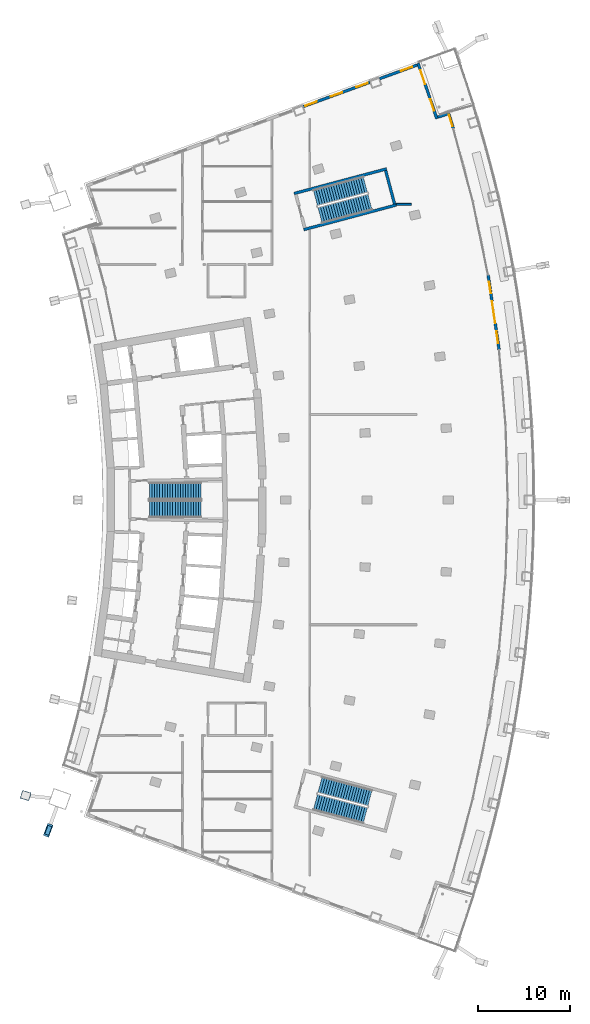
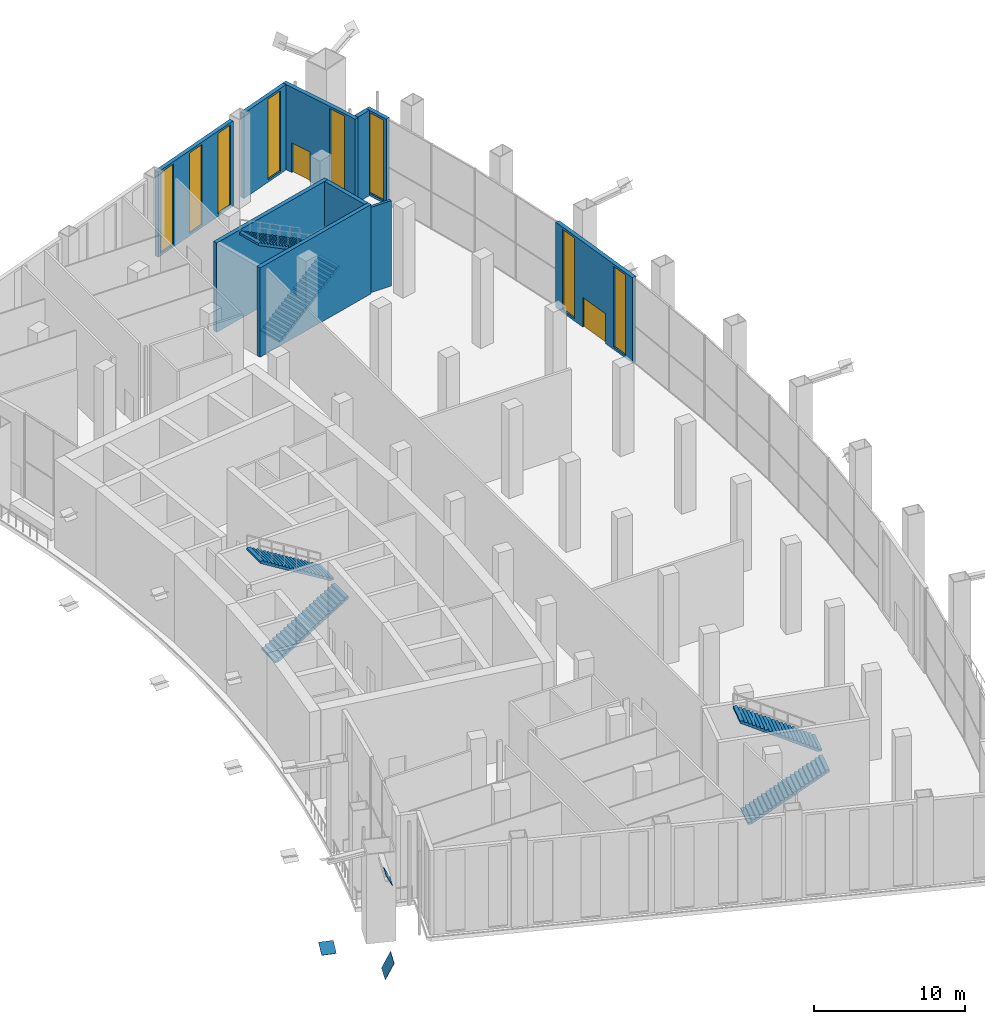
# One storey, part 20 of 27: 10 walls, 8 windows, 6 stair flights, 3 discrete accessories, 2 doors, 10 openings, 3 elements without a shape of their own.
"""IFC4 building model written with IfcOpenShell, lengths in metres."""

from ifc_helpers import new_model, si_unit, direction, frame, frame_2d, origin, origin_2d, place, context, subcontext, project, spatial, polyline, rectangle, outline, extrude, material, layer, layer_set, material_profile, profile_set, type_object, element, fill, aggregate, save


model = new_model("IFC4")

# Units and contexts
model_context = context("Model", 3, precision=1e-05, world=origin(), true_north=direction((0.0, 1.0)))
body_context = subcontext(model_context, "Body", "Model", "MODEL_VIEW")
ifc_project = project(units=[si_unit("LENGTHUNIT", "METRE"), si_unit("AREAUNIT", "SQUARE_METRE"), si_unit("VOLUMEUNIT", "CUBIC_METRE"), si_unit("PLANEANGLEUNIT", "RADIAN"), si_unit("MASSUNIT", "GRAM", prefix="KILO")], contexts=[model_context])

# Site, building, storey
site_placement = place(None, origin())
site = spatial("IfcSite", under=ifc_project, at=site_placement, CompositionType="ELEMENT")
building_placement = place(site_placement, origin())
building = spatial("IfcBuilding", under=site, at=building_placement, Name="Alderwake Tower", CompositionType="ELEMENT")
storey_placement = place(building_placement, frame((0.0, 0.0, 75.199951171875)))
storey = spatial("IfcBuildingStorey", under=building, at=storey_placement, Name="L18", CompositionType="ELEMENT", Elevation=75.199951171875)

# Walls
ifc_material_1 = material(Name="Concrete C70/85", Category="concrete")
ifc_layer_1 = layer(ifc_material_1, 0.300048828125)
ifc_layer_set_1 = layer_set([ifc_layer_1], Name="Core wall stair enclosure 300 C70-85")
wall_type_1 = type_object("IfcWallType", Name="Core wall stair enclosure 300 C70-85", PredefinedType="SHEAR", material=ifc_layer_set_1)
for number, where, z_axis, x_axis, name in (
    (1, (36.71142578125, 94.182373046875, 0.0), (0.0, 0.0, 1.0), (0.966309214305, 0.257383958996, 0.0), "Core wall CW.082"),
    (2, (37.75390625, 90.268798828125, 0.0), (0.0, 0.0, 1.0), (0.966309214305, 0.257383958996, 0.0), "Core wall CW.084"),
):
    element("IfcWall", number, at=place(storey_placement, frame(where, z_axis=z_axis, x_axis=x_axis)), inside=storey, type_object=wall_type_1, Name=name, PredefinedType="SHEAR", context=body_context, shape_type="SweptSolid", body=[
        extrude(rectangle(XDim=10.360107421875, YDim=0.300048828125, at=frame_2d((5.18017578125, 0.0))), origin(), (0.0, 0.0, 1.0), 7.199951171875),
    ])
wall_1_placement = place(storey_placement, frame((47.581298828125, 93.041748046875, 0.0), z_axis=(0.0, 0.0, 1.0), x_axis=(-0.257366821694, 0.966313778796, 0.0)))
element("IfcWall", 3, at=wall_1_placement, inside=storey, type_object=wall_type_1, Name="Core wall CW.081", PredefinedType="SHEAR", context=body_context, shape_type="SweptSolid", body=[
    extrude(rectangle(XDim=3.749755859375, YDim=0.300048828125, at=frame_2d((1.875, 0.0))), origin(), (0.0, 0.0, 1.0), 7.199951171875),
])

# Wall, openings, door, windows
ifc_material_2 = material(Name="Precast concrete C50/60 spandrel panel", Category="concrete")
ifc_layer_2 = layer(ifc_material_2, 0.300048828125)
ifc_layer_set_2 = layer_set([ifc_layer_2], Name="External wall EW1 Precast concrete C50/60 spandrel")
wall_type_2 = type_object("IfcWallType", Name="External wall EW1 Precast concrete C50/60 spandrel", PredefinedType="SOLIDWALL", material=ifc_layer_set_2)
wall_2_placement = place(storey_placement, frame((58.8994140625, 77.27734375, 0.0), z_axis=(0.0, 0.0, 1.0), x_axis=(-0.145324294793, 0.989384075748, 0.0)))
wall_2 = element("IfcWall", 4, at=wall_2_placement, inside=storey, type_object=wall_type_2, Name="External wall 17", PredefinedType="SOLIDWALL", context=body_context, shape_type="SweptSolid", body=[
    extrude(rectangle(XDim=8.15966796875, YDim=0.300048828125, at=frame_2d((4.079833984375, 0.0))), origin(), (0.0, 0.0, 1.0), 6.880126953125),
])
opening_1_placement = place(wall_2_placement, frame((0.7099609375, 0.0, 0.199951171875)))
opening_1 = element("IfcOpeningElement", 5, at=opening_1_placement, cuts=wall_2, Name="Opening W5", PredefinedType="OPENING", context=body_context, shape_type="SweptSolid", body=[
    extrude(rectangle(XDim=1.300048828125, YDim=6.5, at=frame_2d((0.64990234375, 3.25))), frame((0.0, 0.159912109375, 0.0), z_axis=(0.0, -1.0, 0.0), x_axis=(1.0, 0.0, 0.0)), (0.0, 0.0, 1.0), 0.320068359375),
])
opening_2_placement = place(wall_2_placement, frame((2.8798828125, 0.0, 0.0)))
opening_2 = element("IfcOpeningElement", 6, at=opening_2_placement, cuts=wall_2, Name="Opening D05", PredefinedType="OPENING", context=body_context, shape_type="SweptSolid", body=[
    extrude(rectangle(XDim=2.39990234375, YDim=2.39990234375, at=frame_2d((1.199951171875, 1.199951171875))), frame((0.0, 0.159912109375, 0.0), z_axis=(0.0, -1.0, 0.0), x_axis=(1.0, 0.0, 0.0)), (0.0, 0.0, 1.0), 0.320068359375),
])
opening_3_placement = place(wall_2_placement, frame((6.149658203125, 0.0, 0.199951171875)))
opening_3 = element("IfcOpeningElement", 7, at=opening_3_placement, cuts=wall_2, Name="Opening W5", PredefinedType="OPENING", context=body_context, shape_type="SweptSolid", body=[
    extrude(rectangle(XDim=1.300048828125, YDim=6.5, at=frame_2d((0.64990234375, 3.25))), frame((0.0, 0.159912109375, 0.0), z_axis=(0.0, -1.0, 0.0), x_axis=(1.0, 0.0, 0.0)), (0.0, 0.0, 1.0), 0.320068359375),
])
ifc_material_3 = material(Name="Bronze tinted glass in aluminium frame", Category="aluminium")
door_type_1 = type_object("IfcDoorType", Name="Garden door GD sliding", OperationType="DOUBLE_DOOR_SINGLE_SWING", PredefinedType="DOOR", material=ifc_material_3)
door_1_placement = place(opening_2_placement, origin())
door_1 = element("IfcDoor", 8, at=door_1_placement, inside=storey, type_object=door_type_1, Name="Door D05", OperationType="DOUBLE_DOOR_SINGLE_SWING", OverallHeight=2.39990234375, OverallWidth=2.39990234375, PredefinedType="DOOR", context=body_context, shape_type="SweptSolid", body=[
    extrude(rectangle(XDim=2.39990234375, YDim=2.39990234375, at=frame_2d((1.199951171875, 1.199951171875))), frame((0.0, 0.02490234375, 0.0), z_axis=(0.0, -1.0, 0.0), x_axis=(1.0, 0.0, 0.0)), (0.0, 0.0, 1.0), 0.050048828125),
])
fill(opening_2, door_1)
ifc_material_4 = material(Name="Bronze tinted glass in aluminium frame", Category="aluminium")
window_type = type_object("IfcWindowType", Name="Window W5 garden floor tall", PartitioningType="SINGLE_PANEL", PredefinedType="WINDOW", material=ifc_material_4)
window_1_placement = place(opening_1_placement, origin())
window_1 = element("IfcWindow", 9, at=window_1_placement, inside=storey, type_object=window_type, Name="Window W5 garden floor tall", OverallHeight=6.5, OverallWidth=1.300048828125, PartitioningType="SINGLE_PANEL", PredefinedType="WINDOW", context=body_context, shape_type="SweptSolid", body=[
    extrude(rectangle(XDim=1.300048828125, YDim=6.5, at=frame_2d((0.64990234375, 3.25))), frame((0.0, 0.030029296875, 0.0), z_axis=(0.0, -1.0, 0.0), x_axis=(1.0, 0.0, 0.0)), (0.0, 0.0, 1.0), 0.06005859375),
])
fill(opening_1, window_1)
window_2_placement = place(opening_3_placement, origin())
window_2 = element("IfcWindow", 10, at=window_2_placement, inside=storey, type_object=window_type, Name="Window W5 garden floor tall", OverallHeight=6.5, OverallWidth=1.300048828125, PartitioningType="SINGLE_PANEL", PredefinedType="WINDOW", context=body_context, shape_type="SweptSolid", body=[
    extrude(rectangle(XDim=1.300048828125, YDim=6.5, at=frame_2d((0.64990234375, 3.25))), frame((0.0, 0.030029296875, 0.0), z_axis=(0.0, -1.0, 0.0), x_axis=(1.0, 0.0, 0.0)), (0.0, 0.0, 1.0), 0.06005859375),
])
fill(opening_3, window_2)

# Wall, opening, window
wall_3_placement = place(storey_placement, frame((53.943603515625, 101.21337890625, 0.0), z_axis=(0.0, 0.0, 1.0), x_axis=(-0.294449482686, 0.955667045652, 0.0)))
wall_3 = element("IfcWall", 11, at=wall_3_placement, inside=storey, type_object=wall_type_2, Name="External wall 18", PredefinedType="SOLIDWALL", context=body_context, shape_type="SweptSolid", body=[
    extrude(rectangle(XDim=1.83984375, YDim=0.300048828125, at=frame_2d((0.919921875, 0.0))), origin(), (0.0, 0.0, 1.0), 6.880126953125),
])
opening_4_placement = place(wall_3_placement, frame((0.27001953125, 0.0, 0.199951171875)))
opening_4 = element("IfcOpeningElement", 12, at=opening_4_placement, cuts=wall_3, Name="Opening W5", PredefinedType="OPENING", context=body_context, shape_type="SweptSolid", body=[
    extrude(rectangle(XDim=1.300048828125, YDim=6.5, at=frame_2d((0.64990234375, 3.25))), frame((0.0, 0.159912109375, 0.0), z_axis=(0.0, -1.0, 0.0), x_axis=(1.0, 0.0, 0.0)), (0.0, 0.0, 1.0), 0.320068359375),
])
window_3_placement = place(opening_4_placement, origin())
window_3 = element("IfcWindow", 13, at=window_3_placement, inside=storey, type_object=window_type, Name="Window W5 garden floor tall", OverallHeight=6.5, OverallWidth=1.300048828125, PartitioningType="SINGLE_PANEL", PredefinedType="WINDOW", context=body_context, shape_type="SweptSolid", body=[
    extrude(rectangle(XDim=1.300048828125, YDim=6.5, at=frame_2d((0.64990234375, 3.25))), frame((0.0, 0.030029296875, 0.0), z_axis=(0.0, -1.0, 0.0), x_axis=(1.0, 0.0, 0.0)), (0.0, 0.0, 1.0), 0.06005859375),
])
fill(opening_4, window_3)

# Wall
ifc_material_5 = material(Name="Bronze metal cladding on lightweight framing")
ifc_layer_3 = layer(ifc_material_5, 0.300048828125)
ifc_layer_set_3 = layer_set([ifc_layer_3], Name="External wall EW2 bronze metal cladding")
wall_type_3 = type_object("IfcWallType", Name="External wall EW2 bronze metal cladding", PredefinedType="SOLIDWALL", material=ifc_layer_set_3)
wall_4_placement = place(storey_placement, frame((53.302978515625, 102.782958984375, 0.0), z_axis=(0.0, 0.0, 1.0), x_axis=(-0.953498335812, -0.301398280693, 0.0)))
element("IfcWall", 14, at=wall_4_placement, inside=storey, type_object=wall_type_3, Name="External wall 19", PredefinedType="SOLIDWALL", context=body_context, shape_type="SweptSolid", body=[
    extrude(rectangle(XDim=1.09423828125, YDim=0.300048828125, at=frame_2d((0.547119140625, 0.0))), origin(), (0.0, 0.0, 1.0), 6.880126953125),
])

# Wall, openings, door, window
wall_5_placement = place(storey_placement, frame((52.164794921875, 102.265869140625, 0.0), z_axis=(0.0, 0.0, 1.0), x_axis=(-0.320924841055, 0.947104664962, 0.0)))
wall_5 = element("IfcWall", 15, at=wall_5_placement, inside=storey, type_object=wall_type_3, Name="External wall 20", PredefinedType="SOLIDWALL", context=body_context, shape_type="SweptSolid", body=[
    extrude(rectangle(XDim=6.356689453125, YDim=0.300048828125, at=frame_2d((3.17822265625, 0.0))), origin(), (0.0, 0.0, 1.0), 6.880126953125),
])
opening_5_placement = place(wall_5_placement, frame((0.939208984375, 0.0, 0.199951171875)))
opening_5 = element("IfcOpeningElement", 16, at=opening_5_placement, cuts=wall_5, Name="Opening W5", PredefinedType="OPENING", context=body_context, shape_type="SweptSolid", body=[
    extrude(rectangle(XDim=1.300048828125, YDim=6.5, at=frame_2d((0.64990234375, 3.25))), frame((0.0, 0.159912109375, 0.0), z_axis=(0.0, -1.0, 0.0), x_axis=(1.0, 0.0, 0.0)), (0.0, 0.0, 1.0), 0.320068359375),
])
opening_6_placement = place(wall_5_placement, frame((3.967529296875, 0.0, 0.0)))
opening_6 = element("IfcOpeningElement", 17, at=opening_6_placement, cuts=wall_5, Name="Opening D06", PredefinedType="OPENING", context=body_context, shape_type="SweptSolid", body=[
    extrude(rectangle(XDim=1.60009765625, YDim=2.39990234375, at=frame_2d((0.800048828125, 1.199951171875))), frame((0.0, 0.159912109375, 0.0), z_axis=(0.0, -1.0, 0.0), x_axis=(1.0, 0.0, 0.0)), (0.0, 0.0, 1.0), 0.320068359375),
])
ifc_material_6 = material(Name="Bronze tinted glass in aluminium frame", Category="aluminium")
door_type_2 = type_object("IfcDoorType", Name="Terrace door TD sliding", OperationType="SLIDING_TO_LEFT", PredefinedType="DOOR", material=ifc_material_6)
door_2_placement = place(opening_6_placement, origin())
door_2 = element("IfcDoor", 18, at=door_2_placement, inside=storey, type_object=door_type_2, Name="Door D06", OperationType="SLIDING_TO_LEFT", OverallHeight=2.39990234375, OverallWidth=1.60009765625, PredefinedType="DOOR", context=body_context, shape_type="SweptSolid", body=[
    extrude(rectangle(XDim=1.60009765625, YDim=2.39990234375, at=frame_2d((0.800048828125, 1.199951171875))), frame((0.0, 0.02490234375, 0.0), z_axis=(0.0, -1.0, 0.0), x_axis=(1.0, 0.0, 0.0)), (0.0, 0.0, 1.0), 0.050048828125),
])
fill(opening_6, door_2)
window_4_placement = place(opening_5_placement, origin())
window_4 = element("IfcWindow", 19, at=window_4_placement, inside=storey, type_object=window_type, Name="Window W5 garden floor tall", OverallHeight=6.5, OverallWidth=1.300048828125, PartitioningType="SINGLE_PANEL", PredefinedType="WINDOW", context=body_context, shape_type="SweptSolid", body=[
    extrude(rectangle(XDim=1.300048828125, YDim=6.5, at=frame_2d((0.64990234375, 3.25))), frame((0.0, 0.030029296875, 0.0), z_axis=(0.0, -1.0, 0.0), x_axis=(1.0, 0.0, 0.0)), (0.0, 0.0, 1.0), 0.06005859375),
])
fill(opening_5, window_4)

# Wall, opening, window
wall_6_placement = place(storey_placement, frame((50.031982421875, 108.0927734375, 0.0), z_axis=(0.0, 0.0, 1.0), x_axis=(-0.939366224685, -0.342915581333, 0.0)))
wall_6 = element("IfcWall", 20, at=wall_6_placement, inside=storey, type_object=wall_type_3, Name="External wall 21", PredefinedType="SOLIDWALL", context=body_context, shape_type="SweptSolid", body=[
    extrude(rectangle(XDim=4.345703125, YDim=0.300048828125, at=frame_2d((2.1728515625, 0.0))), origin(), (0.0, 0.0, 1.0), 6.880126953125),
])
opening_7_placement = place(wall_6_placement, frame((0.574462890625, 0.0, 0.199951171875)))
opening_7 = element("IfcOpeningElement", 21, at=opening_7_placement, cuts=wall_6, Name="Opening W5", PredefinedType="OPENING", context=body_context, shape_type="SweptSolid", body=[
    extrude(rectangle(XDim=1.300048828125, YDim=6.5, at=frame_2d((0.64990234375, 3.25))), frame((0.0, 0.159912109375, 0.0), z_axis=(0.0, -1.0, 0.0), x_axis=(1.0, 0.0, 0.0)), (0.0, 0.0, 1.0), 0.320068359375),
])
window_5_placement = place(opening_7_placement, origin())
window_5 = element("IfcWindow", 22, at=window_5_placement, inside=storey, type_object=window_type, Name="Window W5 garden floor tall", OverallHeight=6.5, OverallWidth=1.300048828125, PartitioningType="SINGLE_PANEL", PredefinedType="WINDOW", context=body_context, shape_type="SweptSolid", body=[
    extrude(rectangle(XDim=1.300048828125, YDim=6.5, at=frame_2d((0.64990234375, 3.25))), frame((0.0, 0.030029296875, 0.0), z_axis=(0.0, -1.0, 0.0), x_axis=(1.0, 0.0, 0.0)), (0.0, 0.0, 1.0), 0.06005859375),
])
fill(opening_7, window_5)

# Wall, openings, windows
wall_7_placement = place(storey_placement, frame((44.91259765625, 106.22412109375, 0.0), z_axis=(0.0, 0.0, 1.0), x_axis=(-0.939374999544, -0.342891542958, 0.0)))
wall_7 = element("IfcWall", 23, at=wall_7_placement, inside=storey, type_object=wall_type_3, Name="External wall 22", PredefinedType="SOLIDWALL", context=body_context, shape_type="SweptSolid", body=[
    extrude(rectangle(XDim=7.696044921875, YDim=0.300048828125, at=frame_2d((3.84814453125, 0.0))), origin(), (0.0, 0.0, 1.0), 6.880126953125),
])
opening_8_placement = place(wall_7_placement, frame((0.2646484375, 0.0, 0.199951171875)))
opening_8 = element("IfcOpeningElement", 24, at=opening_8_placement, cuts=wall_7, Name="Opening W5", PredefinedType="OPENING", context=body_context, shape_type="SweptSolid", body=[
    extrude(rectangle(XDim=1.300048828125, YDim=6.5, at=frame_2d((0.64990234375, 3.25))), frame((0.0, 0.159912109375, 0.0), z_axis=(0.0, -1.0, 0.0), x_axis=(1.0, 0.0, 0.0)), (0.0, 0.0, 1.0), 0.320068359375),
])
opening_9_placement = place(wall_7_placement, frame((3.197998046875, 0.0, 0.199951171875)))
opening_9 = element("IfcOpeningElement", 25, at=opening_9_placement, cuts=wall_7, Name="Opening W5", PredefinedType="OPENING", context=body_context, shape_type="SweptSolid", body=[
    extrude(rectangle(XDim=1.300048828125, YDim=6.5, at=frame_2d((0.64990234375, 3.25))), frame((0.0, 0.159912109375, 0.0), z_axis=(0.0, -1.0, 0.0), x_axis=(1.0, 0.0, 0.0)), (0.0, 0.0, 1.0), 0.320068359375),
])
opening_10_placement = place(wall_7_placement, frame((6.13134765625, 0.0, 0.199951171875)))
opening_10 = element("IfcOpeningElement", 26, at=opening_10_placement, cuts=wall_7, Name="Opening W5", PredefinedType="OPENING", context=body_context, shape_type="SweptSolid", body=[
    extrude(rectangle(XDim=1.300048828125, YDim=6.5, at=frame_2d((0.64990234375, 3.25))), frame((0.0, 0.159912109375, 0.0), z_axis=(0.0, -1.0, 0.0), x_axis=(1.0, 0.0, 0.0)), (0.0, 0.0, 1.0), 0.320068359375),
])
window_6_placement = place(opening_8_placement, origin())
window_6 = element("IfcWindow", 27, at=window_6_placement, inside=storey, type_object=window_type, Name="Window W5 garden floor tall", OverallHeight=6.5, OverallWidth=1.300048828125, PartitioningType="SINGLE_PANEL", PredefinedType="WINDOW", context=body_context, shape_type="SweptSolid", body=[
    extrude(rectangle(XDim=1.300048828125, YDim=6.5, at=frame_2d((0.64990234375, 3.25))), frame((0.0, 0.030029296875, 0.0), z_axis=(0.0, -1.0, 0.0), x_axis=(1.0, 0.0, 0.0)), (0.0, 0.0, 1.0), 0.06005859375),
])
fill(opening_8, window_6)
window_7_placement = place(opening_9_placement, origin())
window_7 = element("IfcWindow", 28, at=window_7_placement, inside=storey, type_object=window_type, Name="Window W5 garden floor tall", OverallHeight=6.5, OverallWidth=1.300048828125, PartitioningType="SINGLE_PANEL", PredefinedType="WINDOW", context=body_context, shape_type="SweptSolid", body=[
    extrude(rectangle(XDim=1.300048828125, YDim=6.5, at=frame_2d((0.64990234375, 3.25))), frame((0.0, 0.030029296875, 0.0), z_axis=(0.0, -1.0, 0.0), x_axis=(1.0, 0.0, 0.0)), (0.0, 0.0, 1.0), 0.06005859375),
])
fill(opening_9, window_7)
window_8_placement = place(opening_10_placement, origin())
window_8 = element("IfcWindow", 29, at=window_8_placement, inside=storey, type_object=window_type, Name="Window W5 garden floor tall", OverallHeight=6.5, OverallWidth=1.300048828125, PartitioningType="SINGLE_PANEL", PredefinedType="WINDOW", context=body_context, shape_type="SweptSolid", body=[
    extrude(rectangle(XDim=1.300048828125, YDim=6.5, at=frame_2d((0.64990234375, 3.25))), frame((0.0, 0.030029296875, 0.0), z_axis=(0.0, -1.0, 0.0), x_axis=(1.0, 0.0, 0.0)), (0.0, 0.0, 1.0), 0.06005859375),
])
fill(opening_10, window_8)

# Wall
ifc_material_7 = material(Name="Dense block masonry wall", Category="masonry")
ifc_layer_4 = layer(ifc_material_7, 0.199951171875)
ifc_layer_set_4 = layer_set([ifc_layer_4], Name="Party wall 200")
wall_type_4 = type_object("IfcWallType", Name="Party wall 200", PredefinedType="SOLIDWALL", material=ifc_layer_set_4)
wall_8_placement = place(storey_placement, frame((49.40087890625, 93.0, 0.0), z_axis=(0.0, 0.0, 1.0), x_axis=(-1.0, 0.0, 0.0)))
element("IfcWall", 30, at=wall_8_placement, inside=storey, type_object=wall_type_4, Name="WL/L18/W05", PredefinedType="SOLIDWALL", context=body_context, shape_type="SweptSolid", body=[
    extrude(rectangle(XDim=1.6328125, YDim=0.199951171875, at=frame_2d((0.81640625, 0.0))), origin(), (0.0, 0.0, 1.0), 6.880126953125),
])

# Stair, stair flights
ifc_material_8 = material(Name="Concrete C40/50", Category="concrete")
stair_type = type_object("IfcStairType", Name="Core exit stair", PredefinedType="HALF_TURN_STAIR", material=ifc_material_8)
stair_1_placement = place(storey_placement, origin())
stair_1 = element("IfcStair", 31, at=stair_1_placement, inside=storey, type_object=stair_type, Name="L18 Exit Stair B", PredefinedType="HALF_TURN_STAIR")
ifc_material_9 = material(Name="Concrete C40/50", Category="concrete")
ifc_layer_5 = layer(ifc_material_9, 0.14990234375)
ifc_layer_set_5 = layer_set([ifc_layer_5], Name="Core stair flight")
stair_flight_type = type_object("IfcStairFlightType", Name="Core stair flight", PredefinedType="STRAIGHT", material=ifc_layer_set_5)
stair_flight_1_placement = place(storey_placement, frame((21.0400390625, 60.02490234375, 0.0), z_axis=(0.0, 0.0, 1.0), x_axis=(1.0, 0.0, 0.0)))
stair_flight_1 = element("IfcStairFlight", 32, at=stair_flight_1_placement, type_object=stair_flight_type, Name="ST-B flight 1", NumberOfRisers=21, NumberOfTreads=20, PredefinedType="STRAIGHT", RiserHeight=0.171428571, TreadLength=0.28, context=body_context, shape_type="SweptSolid", body=[
    extrude(outline(polyline([(0.0, 0.0), (0.0, 0.17138671875), (0.280029296875, 0.17138671875), (0.280029296875, 0.3427734375), (0.56005859375, 0.3427734375), (0.56005859375, 0.514404296875), (0.840087890625, 0.514404296875), (0.840087890625, 0.685791015625), (1.1201171875, 0.685791015625), (1.1201171875, 0.857177734375), (1.39990234375, 0.857177734375), (1.39990234375, 1.028564453125), (1.679931640625, 1.028564453125), (1.679931640625, 1.199951171875), (1.9599609375, 1.199951171875), (1.9599609375, 1.371337890625), (2.239990234375, 1.371337890625), (2.239990234375, 1.54296875), (2.52001953125, 1.54296875), (2.52001953125, 1.71435546875), (2.800048828125, 1.71435546875), (2.800048828125, 1.8857421875), (3.080078125, 1.8857421875), (3.080078125, 2.05712890625), (3.360107421875, 2.05712890625), (3.360107421875, 2.228515625), (3.639892578125, 2.228515625), (3.639892578125, 2.39990234375), (3.919921875, 2.39990234375), (3.919921875, 2.571533203125), (4.199951171875, 2.571533203125), (4.199951171875, 2.742919921875), (4.47998046875, 2.742919921875), (4.47998046875, 2.914306640625), (4.760009765625, 2.914306640625), (4.760009765625, 3.085693359375), (5.0400390625, 3.085693359375), (5.0400390625, 3.257080078125), (5.320068359375, 3.257080078125), (5.320068359375, 3.428466796875), (5.60009765625, 3.428466796875), (5.60009765625, 3.60009765625), (5.60009765625, 3.252685546875), (0.287109375, 0.0), (0.0, 0.0)])), frame((0.0, 0.89990234375, 0.0), z_axis=(0.0, -1.0, 0.0), x_axis=(1.0, 0.0, 0.0)), (0.0, 0.0, 1.0), 1.800048828125),
])
stair_flight_2_placement = place(storey_placement, frame((26.639892578125, 61.97509765625, 3.60009765625), z_axis=(0.0, 0.0, 1.0), x_axis=(-1.0, 0.0, 0.0)))
stair_flight_2 = element("IfcStairFlight", 33, at=stair_flight_2_placement, type_object=stair_flight_type, Name="ST-B flight 2", NumberOfRisers=21, NumberOfTreads=20, PredefinedType="STRAIGHT", RiserHeight=0.171428571, TreadLength=0.28, context=body_context, shape_type="SweptSolid", body=[
    extrude(outline(polyline([(0.0, 0.0), (0.0, 0.17138671875), (0.280029296875, 0.17138671875), (0.280029296875, 0.3427734375), (0.56005859375, 0.3427734375), (0.56005859375, 0.514404296875), (0.840087890625, 0.514404296875), (0.840087890625, 0.685791015625), (1.1201171875, 0.685791015625), (1.1201171875, 0.857177734375), (1.39990234375, 0.857177734375), (1.39990234375, 1.028564453125), (1.679931640625, 1.028564453125), (1.679931640625, 1.199951171875), (1.9599609375, 1.199951171875), (1.9599609375, 1.371337890625), (2.239990234375, 1.371337890625), (2.239990234375, 1.54296875), (2.52001953125, 1.54296875), (2.52001953125, 1.71435546875), (2.800048828125, 1.71435546875), (2.800048828125, 1.8857421875), (3.080078125, 1.8857421875), (3.080078125, 2.05712890625), (3.360107421875, 2.05712890625), (3.360107421875, 2.228515625), (3.639892578125, 2.228515625), (3.639892578125, 2.39990234375), (3.919921875, 2.39990234375), (3.919921875, 2.571533203125), (4.199951171875, 2.571533203125), (4.199951171875, 2.742919921875), (4.47998046875, 2.742919921875), (4.47998046875, 2.914306640625), (4.760009765625, 2.914306640625), (4.760009765625, 3.085693359375), (5.0400390625, 3.085693359375), (5.0400390625, 3.257080078125), (5.320068359375, 3.257080078125), (5.320068359375, 3.428466796875), (5.60009765625, 3.428466796875), (5.60009765625, 3.60009765625), (5.60009765625, 3.252685546875), (0.287109375, 0.0), (0.0, 0.0)])), frame((0.0, 0.89990234375, 0.0), z_axis=(0.0, -1.0, 0.0), x_axis=(1.0, 0.0, 0.0)), (0.0, 0.0, 1.0), 1.800048828125),
])
aggregate(stair_1, [stair_flight_1, stair_flight_2])

stair_2_placement = place(storey_placement, origin())
stair_2 = element("IfcStair", 34, at=stair_2_placement, inside=storey, type_object=stair_type, Name="L18 Exit Stair A", PredefinedType="HALF_TURN_STAIR")
stair_flight_3_placement = place(storey_placement, frame((39.512939453125, 91.823974609375, 0.0), z_axis=(0.0, 0.0, 1.0), x_axis=(0.966309627437, 0.257382407951, 0.0)))
stair_flight_3 = element("IfcStairFlight", 35, at=stair_flight_3_placement, type_object=stair_flight_type, Name="ST-A flight 1", NumberOfRisers=21, NumberOfTreads=20, PredefinedType="STRAIGHT", RiserHeight=0.171428571, TreadLength=0.28, context=body_context, shape_type="SweptSolid", body=[
    extrude(outline(polyline([(0.0, 0.0), (0.0, 0.17138671875), (0.280029296875, 0.17138671875), (0.280029296875, 0.3427734375), (0.56005859375, 0.3427734375), (0.56005859375, 0.514404296875), (0.840087890625, 0.514404296875), (0.840087890625, 0.685791015625), (1.1201171875, 0.685791015625), (1.1201171875, 0.857177734375), (1.39990234375, 0.857177734375), (1.39990234375, 1.028564453125), (1.679931640625, 1.028564453125), (1.679931640625, 1.199951171875), (1.9599609375, 1.199951171875), (1.9599609375, 1.371337890625), (2.239990234375, 1.371337890625), (2.239990234375, 1.54296875), (2.52001953125, 1.54296875), (2.52001953125, 1.71435546875), (2.800048828125, 1.71435546875), (2.800048828125, 1.8857421875), (3.080078125, 1.8857421875), (3.080078125, 2.05712890625), (3.360107421875, 2.05712890625), (3.360107421875, 2.228515625), (3.639892578125, 2.228515625), (3.639892578125, 2.39990234375), (3.919921875, 2.39990234375), (3.919921875, 2.571533203125), (4.199951171875, 2.571533203125), (4.199951171875, 2.742919921875), (4.47998046875, 2.742919921875), (4.47998046875, 2.914306640625), (4.760009765625, 2.914306640625), (4.760009765625, 3.085693359375), (5.0400390625, 3.085693359375), (5.0400390625, 3.257080078125), (5.320068359375, 3.257080078125), (5.320068359375, 3.428466796875), (5.60009765625, 3.428466796875), (5.60009765625, 3.60009765625), (5.60009765625, 3.252685546875), (0.287109375, 0.0), (0.0, 0.0)])), frame((0.0, 0.89990234375, 0.0), z_axis=(0.0, -1.0, 0.0), x_axis=(1.0, 0.0, 0.0)), (0.0, 0.0, 1.0), 1.800048828125),
])
stair_flight_4_placement = place(storey_placement, frame((44.42236328125, 95.149658203125, 3.60009765625), z_axis=(0.0, 0.0, 1.0), x_axis=(-0.966309627437, -0.257382407951, 0.0)))
stair_flight_4 = element("IfcStairFlight", 36, at=stair_flight_4_placement, type_object=stair_flight_type, Name="ST-A flight 2", NumberOfRisers=21, NumberOfTreads=20, PredefinedType="STRAIGHT", RiserHeight=0.171428571, TreadLength=0.28, context=body_context, shape_type="SweptSolid", body=[
    extrude(outline(polyline([(0.0, 0.0), (0.0, 0.17138671875), (0.280029296875, 0.17138671875), (0.280029296875, 0.3427734375), (0.56005859375, 0.3427734375), (0.56005859375, 0.514404296875), (0.840087890625, 0.514404296875), (0.840087890625, 0.685791015625), (1.1201171875, 0.685791015625), (1.1201171875, 0.857177734375), (1.39990234375, 0.857177734375), (1.39990234375, 1.028564453125), (1.679931640625, 1.028564453125), (1.679931640625, 1.199951171875), (1.9599609375, 1.199951171875), (1.9599609375, 1.371337890625), (2.239990234375, 1.371337890625), (2.239990234375, 1.54296875), (2.52001953125, 1.54296875), (2.52001953125, 1.71435546875), (2.800048828125, 1.71435546875), (2.800048828125, 1.8857421875), (3.080078125, 1.8857421875), (3.080078125, 2.05712890625), (3.360107421875, 2.05712890625), (3.360107421875, 2.228515625), (3.639892578125, 2.228515625), (3.639892578125, 2.39990234375), (3.919921875, 2.39990234375), (3.919921875, 2.571533203125), (4.199951171875, 2.571533203125), (4.199951171875, 2.742919921875), (4.47998046875, 2.742919921875), (4.47998046875, 2.914306640625), (4.760009765625, 2.914306640625), (4.760009765625, 3.085693359375), (5.0400390625, 3.085693359375), (5.0400390625, 3.257080078125), (5.320068359375, 3.257080078125), (5.320068359375, 3.428466796875), (5.60009765625, 3.428466796875), (5.60009765625, 3.60009765625), (5.60009765625, 3.252685546875), (0.287109375, 0.0), (0.0, 0.0)])), frame((0.0, 0.89990234375, 0.0), z_axis=(0.0, -1.0, 0.0), x_axis=(1.0, 0.0, 0.0)), (0.0, 0.0, 1.0), 1.800048828125),
])
aggregate(stair_2, [stair_flight_3, stair_flight_4])

stair_3_placement = place(storey_placement, origin())
stair_3 = element("IfcStair", 37, at=stair_3_placement, inside=storey, type_object=stair_type, Name="L18 Exit Stair C", PredefinedType="HALF_TURN_STAIR")
stair_flight_5_placement = place(storey_placement, frame((39.010986328125, 28.291748046875, 0.0), z_axis=(0.0, 0.0, 1.0), x_axis=(0.966309627437, -0.257382407951, 0.0)))
stair_flight_5 = element("IfcStairFlight", 38, at=stair_flight_5_placement, type_object=stair_flight_type, Name="ST-C flight 1", NumberOfRisers=21, NumberOfTreads=20, PredefinedType="STRAIGHT", RiserHeight=0.171428571, TreadLength=0.28, context=body_context, shape_type="SweptSolid", body=[
    extrude(outline(polyline([(0.0, 0.0), (0.0, 0.17138671875), (0.280029296875, 0.17138671875), (0.280029296875, 0.3427734375), (0.56005859375, 0.3427734375), (0.56005859375, 0.514404296875), (0.840087890625, 0.514404296875), (0.840087890625, 0.685791015625), (1.1201171875, 0.685791015625), (1.1201171875, 0.857177734375), (1.39990234375, 0.857177734375), (1.39990234375, 1.028564453125), (1.679931640625, 1.028564453125), (1.679931640625, 1.199951171875), (1.9599609375, 1.199951171875), (1.9599609375, 1.371337890625), (2.239990234375, 1.371337890625), (2.239990234375, 1.54296875), (2.52001953125, 1.54296875), (2.52001953125, 1.71435546875), (2.800048828125, 1.71435546875), (2.800048828125, 1.8857421875), (3.080078125, 1.8857421875), (3.080078125, 2.05712890625), (3.360107421875, 2.05712890625), (3.360107421875, 2.228515625), (3.639892578125, 2.228515625), (3.639892578125, 2.39990234375), (3.919921875, 2.39990234375), (3.919921875, 2.571533203125), (4.199951171875, 2.571533203125), (4.199951171875, 2.742919921875), (4.47998046875, 2.742919921875), (4.47998046875, 2.914306640625), (4.760009765625, 2.914306640625), (4.760009765625, 3.085693359375), (5.0400390625, 3.085693359375), (5.0400390625, 3.257080078125), (5.320068359375, 3.257080078125), (5.320068359375, 3.428466796875), (5.60009765625, 3.428466796875), (5.60009765625, 3.60009765625), (5.60009765625, 3.252685546875), (0.287109375, 0.0), (0.0, 0.0)])), frame((0.0, 0.89990234375, 0.0), z_axis=(0.0, -1.0, 0.0), x_axis=(1.0, 0.0, 0.0)), (0.0, 0.0, 1.0), 1.800048828125),
])
stair_flight_6_placement = place(storey_placement, frame((44.92431640625, 28.734619140625, 3.60009765625), z_axis=(0.0, 0.0, 1.0), x_axis=(-0.966309627437, 0.257382407951, 0.0)))
stair_flight_6 = element("IfcStairFlight", 39, at=stair_flight_6_placement, type_object=stair_flight_type, Name="ST-C flight 2", NumberOfRisers=21, NumberOfTreads=20, PredefinedType="STRAIGHT", RiserHeight=0.171428571, TreadLength=0.28, context=body_context, shape_type="SweptSolid", body=[
    extrude(outline(polyline([(0.0, 0.0), (0.0, 0.17138671875), (0.280029296875, 0.17138671875), (0.280029296875, 0.3427734375), (0.56005859375, 0.3427734375), (0.56005859375, 0.514404296875), (0.840087890625, 0.514404296875), (0.840087890625, 0.685791015625), (1.1201171875, 0.685791015625), (1.1201171875, 0.857177734375), (1.39990234375, 0.857177734375), (1.39990234375, 1.028564453125), (1.679931640625, 1.028564453125), (1.679931640625, 1.199951171875), (1.9599609375, 1.199951171875), (1.9599609375, 1.371337890625), (2.239990234375, 1.371337890625), (2.239990234375, 1.54296875), (2.52001953125, 1.54296875), (2.52001953125, 1.71435546875), (2.800048828125, 1.71435546875), (2.800048828125, 1.8857421875), (3.080078125, 1.8857421875), (3.080078125, 2.05712890625), (3.360107421875, 2.05712890625), (3.360107421875, 2.228515625), (3.639892578125, 2.228515625), (3.639892578125, 2.39990234375), (3.919921875, 2.39990234375), (3.919921875, 2.571533203125), (4.199951171875, 2.571533203125), (4.199951171875, 2.742919921875), (4.47998046875, 2.742919921875), (4.47998046875, 2.914306640625), (4.760009765625, 2.914306640625), (4.760009765625, 3.085693359375), (5.0400390625, 3.085693359375), (5.0400390625, 3.257080078125), (5.320068359375, 3.257080078125), (5.320068359375, 3.428466796875), (5.60009765625, 3.428466796875), (5.60009765625, 3.60009765625), (5.60009765625, 3.252685546875), (0.287109375, 0.0), (0.0, 0.0)])), frame((0.0, 0.89990234375, 0.0), z_axis=(0.0, -1.0, 0.0), x_axis=(1.0, 0.0, 0.0)), (0.0, 0.0, 1.0), 1.800048828125),
])
aggregate(stair_3, [stair_flight_5, stair_flight_6])

# Discrete accessories
ifc_material_10 = material(Name="Steel ASTM A572 Grade 50", Category="steel")
ifc_material_profile_1 = material_profile(ifc_material_10, rectangle(XDim=1.0, YDim=1.0, at=origin_2d()), Name="BOX 1000X1000X60 cap")
ifc_profile_set_1 = profile_set([ifc_material_profile_1], Name="Steel ASTM A572 Grade 50")
discrete_accessory_type_1 = type_object("IfcDiscreteAccessoryType", Name="End cap plate BOX 1000X1000X60", PredefinedType="USERDEFINED", material=ifc_profile_set_1)
discrete_accessory_1_placement = place(storey_placement, frame((7.6435546875, 29.007568359375, 0.0), z_axis=(-0.129926809902, -0.430382557802, 0.893246818079), x_axis=(0.957327710787, -0.289004591936, 0.0)))
element("IfcDiscreteAccessory", 40, at=discrete_accessory_1_placement, inside=storey, type_object=discrete_accessory_type_1, Name="End cap BRR1.2.1B2 N", ObjectType="END CAP", PredefinedType="USERDEFINED", context=body_context, shape_type="SweptSolid", body=[
    extrude(rectangle(XDim=1.0, YDim=1.0, at=origin_2d()), origin(), (0.0, 0.0, 1.0), 0.030029296875),
])
discrete_accessory_2_placement = place(storey_placement, frame((10.099365234375, 25.23681640625, 7.199951171875), z_axis=(-0.841861852195, 0.310589809548, -0.441364466199), x_axis=(-0.346127430472, -0.93818750891, 0.0)))
element("IfcDiscreteAccessory", 41, at=discrete_accessory_2_placement, inside=storey, type_object=discrete_accessory_type_1, Name="End cap BRS2.1.0A S", ObjectType="END CAP", PredefinedType="USERDEFINED", context=body_context, shape_type="SweptSolid", body=[
    extrude(rectangle(XDim=1.0, YDim=1.0, at=origin_2d()), origin(), (0.0, 0.0, 1.0), 0.02978515625),
])
ifc_material_11 = material(Name="Steel ASTM A572 Grade 50", Category="steel")
ifc_material_profile_2 = material_profile(ifc_material_11, rectangle(XDim=1.39990234375, YDim=1.39990234375, at=origin_2d()), Name="BOX 1400X1400X80 cap")
ifc_profile_set_2 = profile_set([ifc_material_profile_2], Name="Steel ASTM A572 Grade 50")
discrete_accessory_type_2 = type_object("IfcDiscreteAccessoryType", Name="End cap plate BOX 1400X1400X80", PredefinedType="USERDEFINED", material=ifc_profile_set_2)
discrete_accessory_3_placement = place(storey_placement, frame((10.099365234375, 25.23681640625, 0.0), z_axis=(-0.847210096674, 0.309557535323, 0.431751299267), x_axis=(-0.343192952924, -0.939264923791, 0.0)))
element("IfcDiscreteAccessory", 42, at=discrete_accessory_3_placement, inside=storey, type_object=discrete_accessory_type_2, Name="End cap BRS1.2.0B2 N", ObjectType="END CAP", PredefinedType="USERDEFINED", context=body_context, shape_type="SweptSolid", body=[
    extrude(rectangle(XDim=1.39990234375, YDim=1.39990234375, at=origin_2d()), origin(), (0.0, 0.0, 1.0), 0.030029296875),
])

save(model, "model.ifc")
